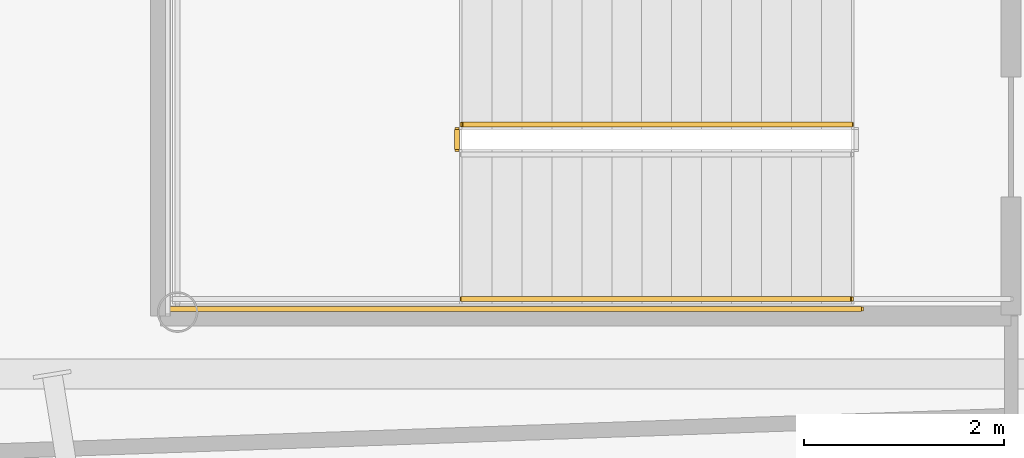
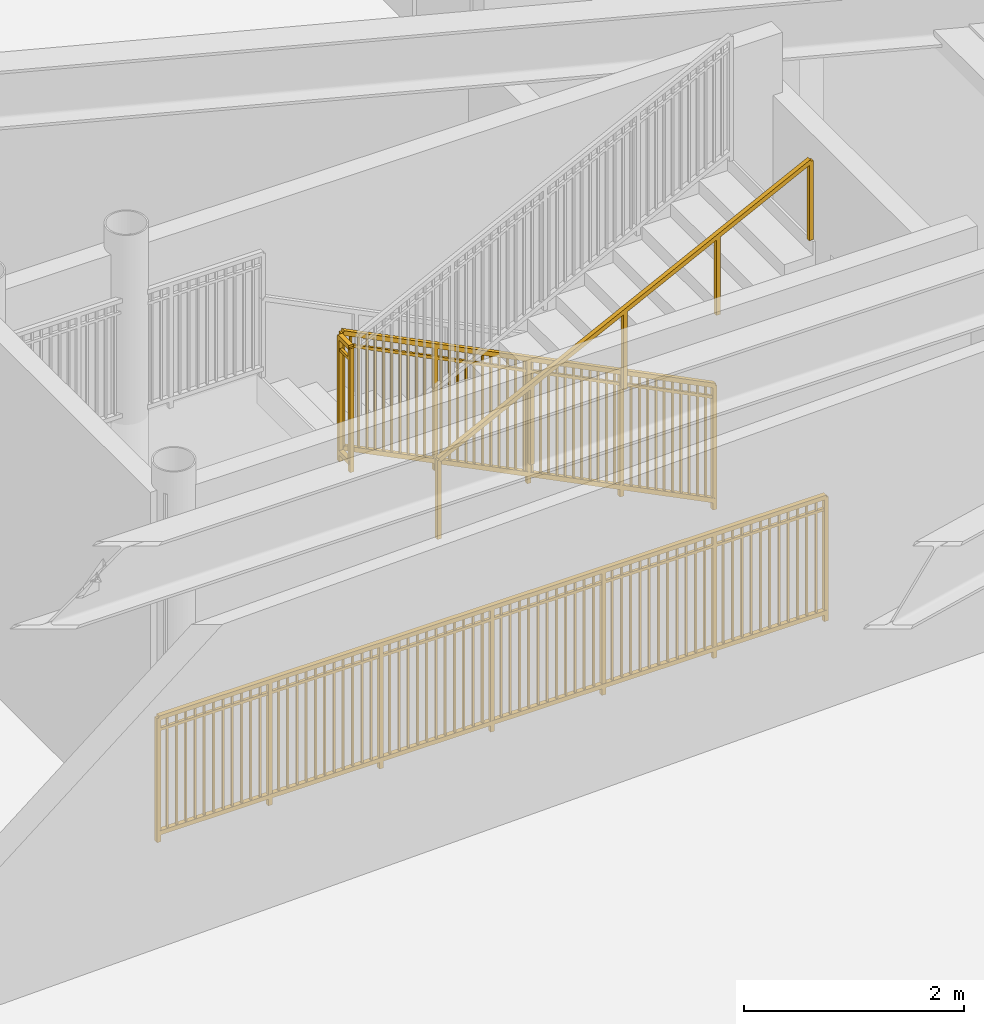
# One storey, part 22 of 32: 4 railings.
"""IFC4 building model written with IfcOpenShell, lengths in metres."""

from ifc_helpers import new_model, si_unit, direction, frame, origin, origin_2d, place, context, subcontext, project, spatial, rectangle, extrude, source, transform, mapped, material, type_object, element, save


model = new_model("IFC4")

# Units and contexts
model_context = context("Model", 3, precision=1e-05, world=origin(), true_north=direction((0.0, 1.0)))
body_context = subcontext(model_context, "Body", "Model", "MODEL_VIEW")
ifc_project = project(units=[si_unit("LENGTHUNIT", "METRE"), si_unit("AREAUNIT", "SQUARE_METRE"), si_unit("VOLUMEUNIT", "CUBIC_METRE"), si_unit("PLANEANGLEUNIT", "RADIAN"), si_unit("MASSUNIT", "GRAM", prefix="KILO")], contexts=[model_context])

# Site, building, storey
site_placement = place(None, origin())
site = spatial("IfcSite", under=ifc_project, at=site_placement, CompositionType="ELEMENT")
building_placement = place(site_placement, origin())
building = spatial("IfcBuilding", under=site, at=building_placement, Name="Linh Dai School and Residence Tower", CompositionType="ELEMENT")
storey_placement = place(building_placement, frame((0.0, 0.0, 53.39990234375)))
storey = spatial("IfcBuildingStorey", under=building, at=storey_placement, Name="L12", CompositionType="ELEMENT", Elevation=53.39990234375)

# Railings
ifc_material_1 = material(Name="Structural Steel S355JR", Category="steel")
railing_type_1 = type_object("IfcRailingType", Name="RL-ST-GUARD-1400", PredefinedType="GUARDRAIL", material=ifc_material_1)
shared_shape_1 = source(origin(), body_context, "Body", "SweptSolid", [
    extrude(rectangle(XDim=0.048095703125, YDim=0.048095703125, at=origin_2d()), frame((0.0, 0.0, 1.3759765625), z_axis=(0.0, -1.0, 0.0), x_axis=(1.0, 0.0, 0.0)), (0.0, 0.0, 1.0), 0.199951171875),
    extrude(rectangle(XDim=0.048095703125, YDim=0.048095703125, at=origin_2d()), frame((0.0, 0.0, 0.10009765625), z_axis=(0.0, -1.0, 0.0), x_axis=(1.0, 0.0, 0.0)), (0.0, 0.0, 1.0), 0.199951171875),
    extrude(rectangle(XDim=0.030029296875, YDim=0.030029296875, at=origin_2d()), frame((0.0, 0.0, 1.239990234375), z_axis=(0.0, -1.0, 0.0), x_axis=(1.0, 0.0, 0.0)), (0.0, 0.0, 1.0), 0.199951171875),
    extrude(rectangle(XDim=0.0419921875, YDim=0.0419921875, at=origin_2d()), origin(), (0.0, 0.0, 1.0), 1.3759765625),
    extrude(rectangle(XDim=0.0419921875, YDim=0.0419921875, at=origin_2d()), frame((0.0, -0.199951171875, 0.0)), (0.0, 0.0, 1.0), 1.3759765625),
])
railing_1_placement = place(storey_placement, frame((18.449951171875, 29.449951171875, 2.10009765625)))
element("IfcRailing", 1, at=railing_1_placement, inside=storey, type_object=railing_type_1, Name="L12 STS1 stair guard 2", PredefinedType="GUARDRAIL", context=body_context, shape_type="MappedRepresentation", body=[
    mapped(shared_shape_1, transform((0.0, 0.0, 0.0), x_axis=(1.0, 0.0, 0.0), y_axis=(0.0, 1.0, 0.0), z_axis=(0.0, 0.0, 1.0), scale=1.0)),
])
shared_shape_2 = source(origin(), body_context, "Body", "SweptSolid", [
    extrude(rectangle(XDim=0.048095703125, YDim=0.048095703125, at=origin_2d()), frame((0.0, 0.0, 1.3759765625), z_axis=(-1.0, 0.0, 0.0), x_axis=(0.0, -1.0, 0.0)), (0.0, 0.0, 1.0), 7.0),
    extrude(rectangle(XDim=0.048095703125, YDim=0.048095703125, at=origin_2d()), frame((0.0, 0.0, 0.10009765625), z_axis=(-1.0, 0.0, 0.0), x_axis=(0.0, -1.0, 0.0)), (0.0, 0.0, 1.0), 7.0),
    extrude(rectangle(XDim=0.030029296875, YDim=0.030029296875, at=origin_2d()), frame((0.0, 0.0, 1.239990234375), z_axis=(-1.0, 0.0, 0.0), x_axis=(0.0, -1.0, 0.0)), (0.0, 0.0, 1.0), 7.0),
    extrude(rectangle(XDim=0.02001953125, YDim=0.02001953125, at=origin_2d()), frame((-0.09716796875, 0.0, 0.10009765625)), (0.0, 0.0, 1.0), 1.251708984375),
    extrude(rectangle(XDim=0.02001953125, YDim=0.02001953125, at=origin_2d()), frame((-0.1943359375, 0.0, 0.10009765625)), (0.0, 0.0, 1.0), 1.251708984375),
    extrude(rectangle(XDim=0.02001953125, YDim=0.02001953125, at=origin_2d()), frame((-0.291748046875, 0.0, 0.10009765625)), (0.0, 0.0, 1.0), 1.251708984375),
    extrude(rectangle(XDim=0.02001953125, YDim=0.02001953125, at=origin_2d()), frame((-0.388916015625, 0.0, 0.10009765625)), (0.0, 0.0, 1.0), 1.251708984375),
    extrude(rectangle(XDim=0.02001953125, YDim=0.02001953125, at=origin_2d()), frame((-0.486083984375, 0.0, 0.10009765625)), (0.0, 0.0, 1.0), 1.251708984375),
    extrude(rectangle(XDim=0.02001953125, YDim=0.02001953125, at=origin_2d()), frame((-0.583251953125, 0.0, 0.10009765625)), (0.0, 0.0, 1.0), 1.251708984375),
    extrude(rectangle(XDim=0.02001953125, YDim=0.02001953125, at=origin_2d()), frame((-0.6806640625, 0.0, 0.10009765625)), (0.0, 0.0, 1.0), 1.251708984375),
    extrude(rectangle(XDim=0.02001953125, YDim=0.02001953125, at=origin_2d()), frame((-0.77783203125, 0.0, 0.10009765625)), (0.0, 0.0, 1.0), 1.251708984375),
    extrude(rectangle(XDim=0.02001953125, YDim=0.02001953125, at=origin_2d()), frame((-0.875, 0.0, 0.10009765625)), (0.0, 0.0, 1.0), 1.251708984375),
    extrude(rectangle(XDim=0.02001953125, YDim=0.02001953125, at=origin_2d()), frame((-0.97216796875, 0.0, 0.10009765625)), (0.0, 0.0, 1.0), 1.251708984375),
    extrude(rectangle(XDim=0.02001953125, YDim=0.02001953125, at=origin_2d()), frame((-1.0693359375, 0.0, 0.10009765625)), (0.0, 0.0, 1.0), 1.251708984375),
    extrude(rectangle(XDim=0.02001953125, YDim=0.02001953125, at=origin_2d()), frame((-1.263916015625, 0.0, 0.10009765625)), (0.0, 0.0, 1.0), 1.251708984375),
    extrude(rectangle(XDim=0.02001953125, YDim=0.02001953125, at=origin_2d()), frame((-1.361083984375, 0.0, 0.10009765625)), (0.0, 0.0, 1.0), 1.251708984375),
    extrude(rectangle(XDim=0.02001953125, YDim=0.02001953125, at=origin_2d()), frame((-1.458251953125, 0.0, 0.10009765625)), (0.0, 0.0, 1.0), 1.251708984375),
    extrude(rectangle(XDim=0.02001953125, YDim=0.02001953125, at=origin_2d()), frame((-1.5556640625, 0.0, 0.10009765625)), (0.0, 0.0, 1.0), 1.251708984375),
    extrude(rectangle(XDim=0.02001953125, YDim=0.02001953125, at=origin_2d()), frame((-1.65283203125, 0.0, 0.10009765625)), (0.0, 0.0, 1.0), 1.251708984375),
    extrude(rectangle(XDim=0.02001953125, YDim=0.02001953125, at=origin_2d()), frame((-1.75, 0.0, 0.10009765625)), (0.0, 0.0, 1.0), 1.251708984375),
    extrude(rectangle(XDim=0.02001953125, YDim=0.02001953125, at=origin_2d()), frame((-1.84716796875, 0.0, 0.10009765625)), (0.0, 0.0, 1.0), 1.251708984375),
    extrude(rectangle(XDim=0.02001953125, YDim=0.02001953125, at=origin_2d()), frame((-1.9443359375, 0.0, 0.10009765625)), (0.0, 0.0, 1.0), 1.251708984375),
    extrude(rectangle(XDim=0.02001953125, YDim=0.02001953125, at=origin_2d()), frame((-2.041748046875, 0.0, 0.10009765625)), (0.0, 0.0, 1.0), 1.251708984375),
    extrude(rectangle(XDim=0.02001953125, YDim=0.02001953125, at=origin_2d()), frame((-2.138916015625, 0.0, 0.10009765625)), (0.0, 0.0, 1.0), 1.251708984375),
    extrude(rectangle(XDim=0.02001953125, YDim=0.02001953125, at=origin_2d()), frame((-2.236083984375, 0.0, 0.10009765625)), (0.0, 0.0, 1.0), 1.251708984375),
    extrude(rectangle(XDim=0.02001953125, YDim=0.02001953125, at=origin_2d()), frame((-2.4306640625, 0.0, 0.10009765625)), (0.0, 0.0, 1.0), 1.251708984375),
    extrude(rectangle(XDim=0.02001953125, YDim=0.02001953125, at=origin_2d()), frame((-2.52783203125, 0.0, 0.10009765625)), (0.0, 0.0, 1.0), 1.251708984375),
    extrude(rectangle(XDim=0.02001953125, YDim=0.02001953125, at=origin_2d()), frame((-2.625, 0.0, 0.10009765625)), (0.0, 0.0, 1.0), 1.251708984375),
    extrude(rectangle(XDim=0.02001953125, YDim=0.02001953125, at=origin_2d()), frame((-2.72216796875, 0.0, 0.10009765625)), (0.0, 0.0, 1.0), 1.251708984375),
    extrude(rectangle(XDim=0.02001953125, YDim=0.02001953125, at=origin_2d()), frame((-2.8193359375, 0.0, 0.10009765625)), (0.0, 0.0, 1.0), 1.251708984375),
    extrude(rectangle(XDim=0.02001953125, YDim=0.02001953125, at=origin_2d()), frame((-2.916748046875, 0.0, 0.10009765625)), (0.0, 0.0, 1.0), 1.251708984375),
    extrude(rectangle(XDim=0.02001953125, YDim=0.02001953125, at=origin_2d()), frame((-3.013916015625, 0.0, 0.10009765625)), (0.0, 0.0, 1.0), 1.251708984375),
    extrude(rectangle(XDim=0.02001953125, YDim=0.02001953125, at=origin_2d()), frame((-3.111083984375, 0.0, 0.10009765625)), (0.0, 0.0, 1.0), 1.251708984375),
    extrude(rectangle(XDim=0.02001953125, YDim=0.02001953125, at=origin_2d()), frame((-3.208251953125, 0.0, 0.10009765625)), (0.0, 0.0, 1.0), 1.251708984375),
    extrude(rectangle(XDim=0.02001953125, YDim=0.02001953125, at=origin_2d()), frame((-3.3056640625, 0.0, 0.10009765625)), (0.0, 0.0, 1.0), 1.251708984375),
    extrude(rectangle(XDim=0.02001953125, YDim=0.02001953125, at=origin_2d()), frame((-3.40283203125, 0.0, 0.10009765625)), (0.0, 0.0, 1.0), 1.251708984375),
    extrude(rectangle(XDim=0.02001953125, YDim=0.02001953125, at=origin_2d()), frame((-3.59716796875, 0.0, 0.10009765625)), (0.0, 0.0, 1.0), 1.251708984375),
    extrude(rectangle(XDim=0.02001953125, YDim=0.02001953125, at=origin_2d()), frame((-3.6943359375, 0.0, 0.10009765625)), (0.0, 0.0, 1.0), 1.251708984375),
    extrude(rectangle(XDim=0.02001953125, YDim=0.02001953125, at=origin_2d()), frame((-3.791748046875, 0.0, 0.10009765625)), (0.0, 0.0, 1.0), 1.251708984375),
    extrude(rectangle(XDim=0.02001953125, YDim=0.02001953125, at=origin_2d()), frame((-3.888916015625, 0.0, 0.10009765625)), (0.0, 0.0, 1.0), 1.251708984375),
    extrude(rectangle(XDim=0.02001953125, YDim=0.02001953125, at=origin_2d()), frame((-3.986083984375, 0.0, 0.10009765625)), (0.0, 0.0, 1.0), 1.251708984375),
    extrude(rectangle(XDim=0.02001953125, YDim=0.02001953125, at=origin_2d()), frame((-4.083251953125, 0.0, 0.10009765625)), (0.0, 0.0, 1.0), 1.251708984375),
    extrude(rectangle(XDim=0.02001953125, YDim=0.02001953125, at=origin_2d()), frame((-4.1806640625, 0.0, 0.10009765625)), (0.0, 0.0, 1.0), 1.251708984375),
    extrude(rectangle(XDim=0.02001953125, YDim=0.02001953125, at=origin_2d()), frame((-4.27783203125, 0.0, 0.10009765625)), (0.0, 0.0, 1.0), 1.251708984375),
    extrude(rectangle(XDim=0.02001953125, YDim=0.02001953125, at=origin_2d()), frame((-4.375, 0.0, 0.10009765625)), (0.0, 0.0, 1.0), 1.251708984375),
    extrude(rectangle(XDim=0.02001953125, YDim=0.02001953125, at=origin_2d()), frame((-4.47216796875, 0.0, 0.10009765625)), (0.0, 0.0, 1.0), 1.251708984375),
    extrude(rectangle(XDim=0.02001953125, YDim=0.02001953125, at=origin_2d()), frame((-4.5693359375, 0.0, 0.10009765625)), (0.0, 0.0, 1.0), 1.251708984375),
    extrude(rectangle(XDim=0.02001953125, YDim=0.02001953125, at=origin_2d()), frame((-4.763916015625, 0.0, 0.10009765625)), (0.0, 0.0, 1.0), 1.251708984375),
    extrude(rectangle(XDim=0.02001953125, YDim=0.02001953125, at=origin_2d()), frame((-4.861083984375, 0.0, 0.10009765625)), (0.0, 0.0, 1.0), 1.251708984375),
    extrude(rectangle(XDim=0.02001953125, YDim=0.02001953125, at=origin_2d()), frame((-4.958251953125, 0.0, 0.10009765625)), (0.0, 0.0, 1.0), 1.251708984375),
    extrude(rectangle(XDim=0.02001953125, YDim=0.02001953125, at=origin_2d()), frame((-5.0556640625, 0.0, 0.10009765625)), (0.0, 0.0, 1.0), 1.251708984375),
    extrude(rectangle(XDim=0.02001953125, YDim=0.02001953125, at=origin_2d()), frame((-5.15283203125, 0.0, 0.10009765625)), (0.0, 0.0, 1.0), 1.251708984375),
    extrude(rectangle(XDim=0.02001953125, YDim=0.02001953125, at=origin_2d()), frame((-5.25, 0.0, 0.10009765625)), (0.0, 0.0, 1.0), 1.251708984375),
    extrude(rectangle(XDim=0.02001953125, YDim=0.02001953125, at=origin_2d()), frame((-5.34716796875, 0.0, 0.10009765625)), (0.0, 0.0, 1.0), 1.251708984375),
    extrude(rectangle(XDim=0.02001953125, YDim=0.02001953125, at=origin_2d()), frame((-5.4443359375, 0.0, 0.10009765625)), (0.0, 0.0, 1.0), 1.251708984375),
    extrude(rectangle(XDim=0.02001953125, YDim=0.02001953125, at=origin_2d()), frame((-5.541748046875, 0.0, 0.10009765625)), (0.0, 0.0, 1.0), 1.251708984375),
    extrude(rectangle(XDim=0.02001953125, YDim=0.02001953125, at=origin_2d()), frame((-5.638916015625, 0.0, 0.10009765625)), (0.0, 0.0, 1.0), 1.251708984375),
    extrude(rectangle(XDim=0.02001953125, YDim=0.02001953125, at=origin_2d()), frame((-5.736083984375, 0.0, 0.10009765625)), (0.0, 0.0, 1.0), 1.251708984375),
    extrude(rectangle(XDim=0.02001953125, YDim=0.02001953125, at=origin_2d()), frame((-5.9306640625, 0.0, 0.10009765625)), (0.0, 0.0, 1.0), 1.251708984375),
    extrude(rectangle(XDim=0.02001953125, YDim=0.02001953125, at=origin_2d()), frame((-6.02783203125, 0.0, 0.10009765625)), (0.0, 0.0, 1.0), 1.251708984375),
    extrude(rectangle(XDim=0.02001953125, YDim=0.02001953125, at=origin_2d()), frame((-6.125, 0.0, 0.10009765625)), (0.0, 0.0, 1.0), 1.251708984375),
    extrude(rectangle(XDim=0.02001953125, YDim=0.02001953125, at=origin_2d()), frame((-6.22216796875, 0.0, 0.10009765625)), (0.0, 0.0, 1.0), 1.251708984375),
    extrude(rectangle(XDim=0.02001953125, YDim=0.02001953125, at=origin_2d()), frame((-6.3193359375, 0.0, 0.10009765625)), (0.0, 0.0, 1.0), 1.251708984375),
    extrude(rectangle(XDim=0.02001953125, YDim=0.02001953125, at=origin_2d()), frame((-6.416748046875, 0.0, 0.10009765625)), (0.0, 0.0, 1.0), 1.251708984375),
    extrude(rectangle(XDim=0.02001953125, YDim=0.02001953125, at=origin_2d()), frame((-6.513916015625, 0.0, 0.10009765625)), (0.0, 0.0, 1.0), 1.251708984375),
    extrude(rectangle(XDim=0.02001953125, YDim=0.02001953125, at=origin_2d()), frame((-6.611083984375, 0.0, 0.10009765625)), (0.0, 0.0, 1.0), 1.251708984375),
    extrude(rectangle(XDim=0.02001953125, YDim=0.02001953125, at=origin_2d()), frame((-6.708251953125, 0.0, 0.10009765625)), (0.0, 0.0, 1.0), 1.251708984375),
    extrude(rectangle(XDim=0.02001953125, YDim=0.02001953125, at=origin_2d()), frame((-6.8056640625, 0.0, 0.10009765625)), (0.0, 0.0, 1.0), 1.251708984375),
    extrude(rectangle(XDim=0.02001953125, YDim=0.02001953125, at=origin_2d()), frame((-6.90283203125, 0.0, 0.10009765625)), (0.0, 0.0, 1.0), 1.251708984375),
    extrude(rectangle(XDim=0.0419921875, YDim=0.0419921875, at=origin_2d()), origin(), (0.0, 0.0, 1.0), 1.3759765625),
    extrude(rectangle(XDim=0.0419921875, YDim=0.0419921875, at=origin_2d()), frame((-1.166748046875, 0.0, 0.0)), (0.0, 0.0, 1.0), 1.3759765625),
    extrude(rectangle(XDim=0.0419921875, YDim=0.0419921875, at=origin_2d()), frame((-2.333251953125, 0.0, 0.0)), (0.0, 0.0, 1.0), 1.3759765625),
    extrude(rectangle(XDim=0.0419921875, YDim=0.0419921875, at=origin_2d()), frame((-3.5, 0.0, 0.0)), (0.0, 0.0, 1.0), 1.3759765625),
    extrude(rectangle(XDim=0.0419921875, YDim=0.0419921875, at=origin_2d()), frame((-4.666748046875, 0.0, 0.0)), (0.0, 0.0, 1.0), 1.3759765625),
    extrude(rectangle(XDim=0.0419921875, YDim=0.0419921875, at=origin_2d()), frame((-5.833251953125, 0.0, 0.0)), (0.0, 0.0, 1.0), 1.3759765625),
    extrude(rectangle(XDim=0.0419921875, YDim=0.0419921875, at=origin_2d()), frame((-7.0, 0.0, 0.0)), (0.0, 0.0, 1.0), 1.3759765625),
])
railing_2_placement = place(storey_placement, frame((22.5, 27.64990234375, 0.0)))
element("IfcRailing", 2, at=railing_2_placement, inside=storey, type_object=railing_type_1, Name="L12 STS1 stair guard 11", PredefinedType="GUARDRAIL", context=body_context, shape_type="MappedRepresentation", body=[
    mapped(shared_shape_2, transform((0.0, 0.0, 0.0), x_axis=(1.0, 0.0, 0.0), y_axis=(0.0, 1.0, 0.0), z_axis=(0.0, 0.0, 1.0), scale=1.0)),
])
shared_shape_3 = source(origin(), body_context, "Body", "SweptSolid", [
    extrude(rectangle(XDim=0.048095703125, YDim=0.048095703125, at=origin_2d()), frame((0.0, 0.0, 1.3759765625), z_axis=(-0.894427191, 0.0, 0.4472135955), x_axis=(0.0, -1.0, 0.0)), (0.0, 0.0, 1.0), 4.360107421875),
    extrude(rectangle(XDim=0.048095703125, YDim=0.048095703125, at=origin_2d()), frame((0.0, 0.0, 0.10009765625), z_axis=(-0.894427191, 0.0, 0.4472135955), x_axis=(0.0, -1.0, 0.0)), (0.0, 0.0, 1.0), 4.360107421875),
    extrude(rectangle(XDim=0.030029296875, YDim=0.030029296875, at=origin_2d()), frame((0.0, 0.0, 1.239990234375), z_axis=(-0.894427191, 0.0, 0.4472135955), x_axis=(0.0, -1.0, 0.0)), (0.0, 0.0, 1.0), 4.360107421875),
    extrude(rectangle(XDim=0.02001953125, YDim=0.02001953125, at=origin_2d()), frame((-0.086669921875, 0.0, 0.143310546875)), (0.0, 0.0, 1.0), 1.251708984375),
    extrude(rectangle(XDim=0.02001953125, YDim=0.02001953125, at=origin_2d()), frame((-0.17333984375, 0.0, 0.186767578125)), (0.0, 0.0, 1.0), 1.251708984375),
    extrude(rectangle(XDim=0.02001953125, YDim=0.02001953125, at=origin_2d()), frame((-0.260009765625, 0.0, 0.22998046875)), (0.0, 0.0, 1.0), 1.251708984375),
    extrude(rectangle(XDim=0.02001953125, YDim=0.02001953125, at=origin_2d()), frame((-0.3466796875, 0.0, 0.2734375)), (0.0, 0.0, 1.0), 1.251708984375),
    extrude(rectangle(XDim=0.02001953125, YDim=0.02001953125, at=origin_2d()), frame((-0.433349609375, 0.0, 0.316650390625)), (0.0, 0.0, 1.0), 1.251708984375),
    extrude(rectangle(XDim=0.02001953125, YDim=0.02001953125, at=origin_2d()), frame((-0.52001953125, 0.0, 0.360107421875)), (0.0, 0.0, 1.0), 1.251708984375),
    extrude(rectangle(XDim=0.02001953125, YDim=0.02001953125, at=origin_2d()), frame((-0.606689453125, 0.0, 0.4033203125)), (0.0, 0.0, 1.0), 1.251708984375),
    extrude(rectangle(XDim=0.02001953125, YDim=0.02001953125, at=origin_2d()), frame((-0.693359375, 0.0, 0.44677734375)), (0.0, 0.0, 1.0), 1.251708984375),
    extrude(rectangle(XDim=0.02001953125, YDim=0.02001953125, at=origin_2d()), frame((-0.780029296875, 0.0, 0.489990234375)), (0.0, 0.0, 1.0), 1.251708984375),
    extrude(rectangle(XDim=0.02001953125, YDim=0.02001953125, at=origin_2d()), frame((-0.86669921875, 0.0, 0.533447265625)), (0.0, 0.0, 1.0), 1.251708984375),
    extrude(rectangle(XDim=0.02001953125, YDim=0.02001953125, at=origin_2d()), frame((-1.0400390625, 0.0, 0.6201171875)), (0.0, 0.0, 1.0), 1.251708984375),
    extrude(rectangle(XDim=0.02001953125, YDim=0.02001953125, at=origin_2d()), frame((-1.126708984375, 0.0, 0.663330078125)), (0.0, 0.0, 1.0), 1.251708984375),
    extrude(rectangle(XDim=0.02001953125, YDim=0.02001953125, at=origin_2d()), frame((-1.21337890625, 0.0, 0.706787109375)), (0.0, 0.0, 1.0), 1.251708984375),
    extrude(rectangle(XDim=0.02001953125, YDim=0.02001953125, at=origin_2d()), frame((-1.300048828125, 0.0, 0.75)), (0.0, 0.0, 1.0), 1.251708984375),
    extrude(rectangle(XDim=0.02001953125, YDim=0.02001953125, at=origin_2d()), frame((-1.38671875, 0.0, 0.79345703125)), (0.0, 0.0, 1.0), 1.251708984375),
    extrude(rectangle(XDim=0.02001953125, YDim=0.02001953125, at=origin_2d()), frame((-1.473388671875, 0.0, 0.836669921875)), (0.0, 0.0, 1.0), 1.251708984375),
    extrude(rectangle(XDim=0.02001953125, YDim=0.02001953125, at=origin_2d()), frame((-1.56005859375, 0.0, 0.880126953125)), (0.0, 0.0, 1.0), 1.251708984375),
    extrude(rectangle(XDim=0.02001953125, YDim=0.02001953125, at=origin_2d()), frame((-1.646728515625, 0.0, 0.92333984375)), (0.0, 0.0, 1.0), 1.251708984375),
    extrude(rectangle(XDim=0.02001953125, YDim=0.02001953125, at=origin_2d()), frame((-1.7333984375, 0.0, 0.966796875)), (0.0, 0.0, 1.0), 1.251708984375),
    extrude(rectangle(XDim=0.02001953125, YDim=0.02001953125, at=origin_2d()), frame((-1.820068359375, 0.0, 1.010009765625)), (0.0, 0.0, 1.0), 1.251708984375),
    extrude(rectangle(XDim=0.02001953125, YDim=0.02001953125, at=origin_2d()), frame((-1.90673828125, 0.0, 1.053466796875)), (0.0, 0.0, 1.0), 1.251708984375),
    extrude(rectangle(XDim=0.02001953125, YDim=0.02001953125, at=origin_2d()), frame((-1.9931640625, 0.0, 1.0966796875)), (0.0, 0.0, 1.0), 1.251708984375),
    extrude(rectangle(XDim=0.02001953125, YDim=0.02001953125, at=origin_2d()), frame((-2.079833984375, 0.0, 1.14013671875)), (0.0, 0.0, 1.0), 1.251708984375),
    extrude(rectangle(XDim=0.02001953125, YDim=0.02001953125, at=origin_2d()), frame((-2.16650390625, 0.0, 1.183349609375)), (0.0, 0.0, 1.0), 1.251708984375),
    extrude(rectangle(XDim=0.02001953125, YDim=0.02001953125, at=origin_2d()), frame((-2.253173828125, 0.0, 1.226806640625)), (0.0, 0.0, 1.0), 1.251708984375),
    extrude(rectangle(XDim=0.02001953125, YDim=0.02001953125, at=origin_2d()), frame((-2.33984375, 0.0, 1.27001953125)), (0.0, 0.0, 1.0), 1.251708984375),
    extrude(rectangle(XDim=0.02001953125, YDim=0.02001953125, at=origin_2d()), frame((-2.426513671875, 0.0, 1.3134765625)), (0.0, 0.0, 1.0), 1.251708984375),
    extrude(rectangle(XDim=0.02001953125, YDim=0.02001953125, at=origin_2d()), frame((-2.51318359375, 0.0, 1.356689453125)), (0.0, 0.0, 1.0), 1.251708984375),
    extrude(rectangle(XDim=0.02001953125, YDim=0.02001953125, at=origin_2d()), frame((-2.599853515625, 0.0, 1.400146484375)), (0.0, 0.0, 1.0), 1.251708984375),
    extrude(rectangle(XDim=0.02001953125, YDim=0.02001953125, at=origin_2d()), frame((-2.6865234375, 0.0, 1.443359375)), (0.0, 0.0, 1.0), 1.251708984375),
    extrude(rectangle(XDim=0.02001953125, YDim=0.02001953125, at=origin_2d()), frame((-2.773193359375, 0.0, 1.48681640625)), (0.0, 0.0, 1.0), 1.251708984375),
    extrude(rectangle(XDim=0.02001953125, YDim=0.02001953125, at=origin_2d()), frame((-2.85986328125, 0.0, 1.530029296875)), (0.0, 0.0, 1.0), 1.251708984375),
    extrude(rectangle(XDim=0.02001953125, YDim=0.02001953125, at=origin_2d()), frame((-3.033203125, 0.0, 1.61669921875)), (0.0, 0.0, 1.0), 1.251708984375),
    extrude(rectangle(XDim=0.02001953125, YDim=0.02001953125, at=origin_2d()), frame((-3.119873046875, 0.0, 1.66015625)), (0.0, 0.0, 1.0), 1.251708984375),
    extrude(rectangle(XDim=0.02001953125, YDim=0.02001953125, at=origin_2d()), frame((-3.20654296875, 0.0, 1.703369140625)), (0.0, 0.0, 1.0), 1.251708984375),
    extrude(rectangle(XDim=0.02001953125, YDim=0.02001953125, at=origin_2d()), frame((-3.293212890625, 0.0, 1.746826171875)), (0.0, 0.0, 1.0), 1.251708984375),
    extrude(rectangle(XDim=0.02001953125, YDim=0.02001953125, at=origin_2d()), frame((-3.3798828125, 0.0, 1.7900390625)), (0.0, 0.0, 1.0), 1.251708984375),
    extrude(rectangle(XDim=0.02001953125, YDim=0.02001953125, at=origin_2d()), frame((-3.466552734375, 0.0, 1.83349609375)), (0.0, 0.0, 1.0), 1.251708984375),
    extrude(rectangle(XDim=0.02001953125, YDim=0.02001953125, at=origin_2d()), frame((-3.55322265625, 0.0, 1.876708984375)), (0.0, 0.0, 1.0), 1.251708984375),
    extrude(rectangle(XDim=0.02001953125, YDim=0.02001953125, at=origin_2d()), frame((-3.639892578125, 0.0, 1.920166015625)), (0.0, 0.0, 1.0), 1.251708984375),
    extrude(rectangle(XDim=0.02001953125, YDim=0.02001953125, at=origin_2d()), frame((-3.7265625, 0.0, 1.96337890625)), (0.0, 0.0, 1.0), 1.251708984375),
    extrude(rectangle(XDim=0.02001953125, YDim=0.02001953125, at=origin_2d()), frame((-3.813232421875, 0.0, 2.0068359375)), (0.0, 0.0, 1.0), 1.251708984375),
    extrude(rectangle(XDim=0.0419921875, YDim=0.0419921875, at=origin_2d()), origin(), (0.0, 0.0, 1.0), 1.3759765625),
    extrude(rectangle(XDim=0.0419921875, YDim=0.0419921875, at=origin_2d()), frame((-0.97509765625, 0.0, 0.487548828125)), (0.0, 0.0, 1.0), 1.3759765625),
    extrude(rectangle(XDim=0.0419921875, YDim=0.0419921875, at=origin_2d()), frame((-1.949951171875, 0.0, 0.97509765625)), (0.0, 0.0, 1.0), 1.3759765625),
    extrude(rectangle(XDim=0.0419921875, YDim=0.0419921875, at=origin_2d()), frame((-2.9248046875, 0.0, 1.46240234375)), (0.0, 0.0, 1.0), 1.3759765625),
    extrude(rectangle(XDim=0.0419921875, YDim=0.0419921875, at=origin_2d()), frame((-3.89990234375, 0.0, 1.949951171875)), (0.0, 0.0, 1.0), 1.3759765625),
])
railing_3_placement = place(storey_placement, frame((22.39990234375, 29.5, 0.150146484375)))
element("IfcRailing", 3, at=railing_3_placement, inside=storey, type_object=railing_type_1, Name="L12 STS1 stair guard 1", PredefinedType="GUARDRAIL", context=body_context, shape_type="MappedRepresentation", body=[
    mapped(shared_shape_3, transform((0.0, 0.0, 0.0), x_axis=(1.0, 0.0, 0.0), y_axis=(0.0, 1.0, 0.0), z_axis=(0.0, 0.0, 1.0), scale=1.0)),
])
ifc_material_2 = material(Name="Brushed Stainless Steel Handrail", Category="steel")
railing_type_2 = type_object("IfcRailingType", Name="RL-ST-HANDRAIL-900", PredefinedType="HANDRAIL", material=ifc_material_2)
shared_shape_4 = source(origin(), body_context, "Body", "SweptSolid", [
    extrude(rectangle(XDim=0.048095703125, YDim=0.048095703125, at=origin_2d()), frame((0.0, 0.0, 0.8759765625), z_axis=(0.894404793364, 0.0, 0.447258387967), x_axis=(0.0, 1.0, 0.0)), (0.0, 0.0, 1.0), 4.3603515625),
    extrude(rectangle(XDim=0.0419921875, YDim=0.0419921875, at=origin_2d()), origin(), (0.0, 0.0, 1.0), 0.8759765625),
    extrude(rectangle(XDim=0.0419921875, YDim=0.0419921875, at=origin_2d()), frame((0.97509765625, 0.0, 0.487548828125)), (0.0, 0.0, 1.0), 0.8759765625),
    extrude(rectangle(XDim=0.0419921875, YDim=0.0419921875, at=origin_2d()), frame((1.949951171875, 0.0, 0.97509765625)), (0.0, 0.0, 1.0), 0.8759765625),
    extrude(rectangle(XDim=0.0419921875, YDim=0.0419921875, at=origin_2d()), frame((2.9248046875, 0.0, 1.462646484375)), (0.0, 0.0, 1.0), 0.8759765625),
    extrude(rectangle(XDim=0.0419921875, YDim=0.0419921875, at=origin_2d()), frame((3.89990234375, 0.0, 1.9501953125)), (0.0, 0.0, 1.0), 0.8759765625),
])
railing_4_placement = place(storey_placement, frame((18.5, 27.75, 2.25)))
element("IfcRailing", 4, at=railing_4_placement, inside=storey, type_object=railing_type_2, Name="L12 STS1 stair handrail 2", PredefinedType="HANDRAIL", context=body_context, shape_type="MappedRepresentation", body=[
    mapped(shared_shape_4, transform((0.0, 0.0, 0.0), x_axis=(1.0, 0.0, 0.0), y_axis=(0.0, 1.0, 0.0), z_axis=(0.0, 0.0, 1.0), scale=1.0)),
])

save(model, "model.ifc")
